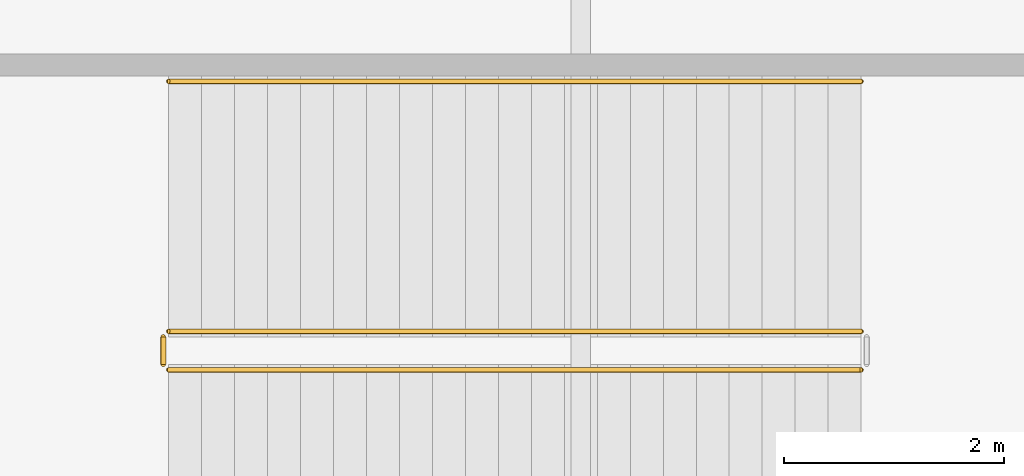
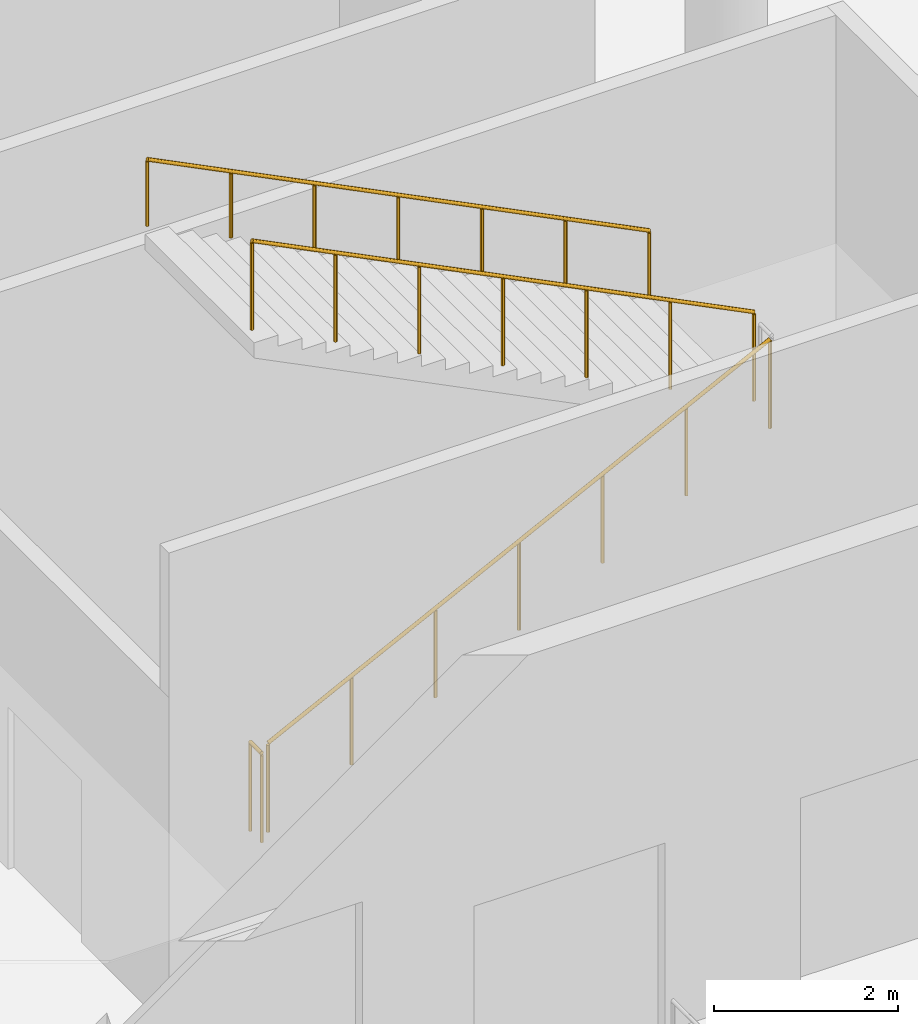
# One storey, part 34 of 65: 4 railings.
"""IFC4 building model written with IfcOpenShell, lengths in metres."""

from ifc_helpers import new_model, si_unit, direction, frame, origin, origin_2d, place, context, subcontext, project, spatial, circle, extrude, material, type_object, element, save


model = new_model("IFC4")

# Units and contexts
model_context = context("Model", 3, precision=1e-05, world=origin(), true_north=direction((0.0, 1.0)))
body_context = subcontext(model_context, "Body", "Model", "MODEL_VIEW")
ifc_project = project(units=[si_unit("LENGTHUNIT", "METRE"), si_unit("AREAUNIT", "SQUARE_METRE"), si_unit("VOLUMEUNIT", "CUBIC_METRE"), si_unit("PLANEANGLEUNIT", "RADIAN"), si_unit("MASSUNIT", "GRAM", prefix="KILO")], contexts=[model_context])

# Site, building, storey
site_placement = place(None, origin())
site = spatial("IfcSite", under=ifc_project, at=site_placement, CompositionType="ELEMENT")
building_placement = place(site_placement, origin())
building = spatial("IfcBuilding", under=site, at=building_placement, Name="Chuanluo Vaults Station", CompositionType="ELEMENT")
storey_placement = place(building_placement, origin())
storey = spatial("IfcBuildingStorey", under=building, at=storey_placement, Name="L00", CompositionType="ELEMENT", Elevation=0.0)

# Railings
ifc_material_1 = material(Name="Tempered laminated balustrade glass", Category="glass")
railing_type_1 = type_object("IfcRailingType", Name="RLG-GUARD-1200", PredefinedType="BALUSTRADE", material=ifc_material_1)
railing_1_placement = place(storey_placement, frame((26.25, 23.074951171875, 0.14990234375)))
element("IfcRailing", 1, at=railing_1_placement, inside=storey, type_object=railing_type_1, Name="L00 ST-18 stair guard 1", PredefinedType="BALUSTRADE", context=body_context, shape_type="SweptSolid", body=[
    extrude(circle(Radius=0.02392578125, at=origin_2d()), frame((0.0, 0.0, 1.17578125), z_axis=(0.894420258746, 0.0, 0.44722745974), x_axis=(0.0, 1.0, 0.0)), (0.0, 0.0, 1.0), 7.043701171875),
    extrude(circle(Radius=0.02099609375, at=origin_2d()), origin(), (0.0, 0.0, 1.0), 1.15185546875),
    extrude(circle(Radius=0.02099609375, at=origin_2d()), frame((1.050048828125, 0.0, 0.52490234375)), (0.0, 0.0, 1.0), 1.15185546875),
    extrude(circle(Radius=0.02099609375, at=origin_2d()), frame((2.10009765625, 0.0, 1.050048828125)), (0.0, 0.0, 1.0), 1.15185546875),
    extrude(circle(Radius=0.02099609375, at=origin_2d()), frame((3.14990234375, 0.0, 1.5751953125)), (0.0, 0.0, 1.0), 1.15185546875),
    extrude(circle(Radius=0.02099609375, at=origin_2d()), frame((4.199951171875, 0.0, 2.10009765625)), (0.0, 0.0, 1.0), 1.15185546875),
    extrude(circle(Radius=0.02099609375, at=origin_2d()), frame((5.25, 0.0, 2.625)), (0.0, 0.0, 1.0), 1.15185546875),
    extrude(circle(Radius=0.02099609375, at=origin_2d()), frame((6.300048828125, 0.0, 3.150146484375)), (0.0, 0.0, 1.0), 1.15185546875),
])
railing_2_placement = place(storey_placement, frame((32.550048828125, 23.425048828125, 3.449951171875)))
element("IfcRailing", 2, at=railing_2_placement, inside=storey, type_object=railing_type_1, Name="L00 ST-18 stair guard 3", PredefinedType="BALUSTRADE", context=body_context, shape_type="SweptSolid", body=[
    extrude(circle(Radius=0.02392578125, at=origin_2d()), frame((0.0, 0.0, 1.17578125), z_axis=(-0.894420258746, 0.0, 0.44722745974), x_axis=(0.0, -1.0, 0.0)), (0.0, 0.0, 1.0), 7.043701171875),
    extrude(circle(Radius=0.02099609375, at=origin_2d()), origin(), (0.0, 0.0, 1.0), 1.15185546875),
    extrude(circle(Radius=0.02099609375, at=origin_2d()), frame((-1.050048828125, 0.0, 0.52490234375)), (0.0, 0.0, 1.0), 1.15185546875),
    extrude(circle(Radius=0.02099609375, at=origin_2d()), frame((-2.10009765625, 0.0, 1.050048828125)), (0.0, 0.0, 1.0), 1.15185546875),
    extrude(circle(Radius=0.02099609375, at=origin_2d()), frame((-3.14990234375, 0.0, 1.5751953125)), (0.0, 0.0, 1.0), 1.15185546875),
    extrude(circle(Radius=0.02099609375, at=origin_2d()), frame((-4.199951171875, 0.0, 2.10009765625)), (0.0, 0.0, 1.0), 1.15185546875),
    extrude(circle(Radius=0.02099609375, at=origin_2d()), frame((-5.25, 0.0, 2.625)), (0.0, 0.0, 1.0), 1.15185546875),
    extrude(circle(Radius=0.02099609375, at=origin_2d()), frame((-6.300048828125, 0.0, 3.150146484375)), (0.0, 0.0, 1.0), 1.15185546875),
])
railing_3_placement = place(storey_placement, frame((26.199951171875, 23.125, 0.0)))
element("IfcRailing", 3, at=railing_3_placement, inside=storey, type_object=railing_type_1, Name="L00 ST-18 stair guard 4", PredefinedType="BALUSTRADE", context=body_context, shape_type="SweptSolid", body=[
    extrude(circle(Radius=0.02392578125, at=origin_2d()), frame((0.0, 0.0, 1.17578125), z_axis=(0.0, 1.0, 0.0), x_axis=(-1.0, 0.0, 0.0)), (0.0, 0.0, 1.0), 0.25),
    extrude(circle(Radius=0.02099609375, at=origin_2d()), origin(), (0.0, 0.0, 1.0), 1.15185546875),
    extrude(circle(Radius=0.02099609375, at=origin_2d()), frame((0.0, 0.25, 0.0)), (0.0, 0.0, 1.0), 1.15185546875),
])
ifc_material_2 = material(Name="Brushed stainless steel 304", Category="steel")
railing_type_2 = type_object("IfcRailingType", Name="RLG-HAND-900", PredefinedType="HANDRAIL", material=ifc_material_2)
railing_4_placement = place(storey_placement, frame((32.550048828125, 25.699951171875, 3.449951171875)))
element("IfcRailing", 4, at=railing_4_placement, inside=storey, type_object=railing_type_2, Name="L00 ST-18 stair handrail 2", PredefinedType="HANDRAIL", context=body_context, shape_type="SweptSolid", body=[
    extrude(circle(Radius=0.02392578125, at=origin_2d()), frame((0.0, 0.0, 0.8759765625), z_axis=(-0.894420258746, 0.0, 0.44722745974), x_axis=(0.0, -1.0, 0.0)), (0.0, 0.0, 1.0), 7.043701171875),
    extrude(circle(Radius=0.02099609375, at=origin_2d()), origin(), (0.0, 0.0, 1.0), 0.851806640625),
    extrude(circle(Radius=0.02099609375, at=origin_2d()), frame((-1.050048828125, 0.0, 0.52490234375)), (0.0, 0.0, 1.0), 0.851806640625),
    extrude(circle(Radius=0.02099609375, at=origin_2d()), frame((-2.10009765625, 0.0, 1.050048828125)), (0.0, 0.0, 1.0), 0.851806640625),
    extrude(circle(Radius=0.02099609375, at=origin_2d()), frame((-3.14990234375, 0.0, 1.5751953125)), (0.0, 0.0, 1.0), 0.851806640625),
    extrude(circle(Radius=0.02099609375, at=origin_2d()), frame((-4.199951171875, 0.0, 2.10009765625)), (0.0, 0.0, 1.0), 0.851806640625),
    extrude(circle(Radius=0.02099609375, at=origin_2d()), frame((-5.25, 0.0, 2.625)), (0.0, 0.0, 1.0), 0.851806640625),
    extrude(circle(Radius=0.02099609375, at=origin_2d()), frame((-6.300048828125, 0.0, 3.150146484375)), (0.0, 0.0, 1.0), 0.851806640625),
])

save(model, "model.ifc")
